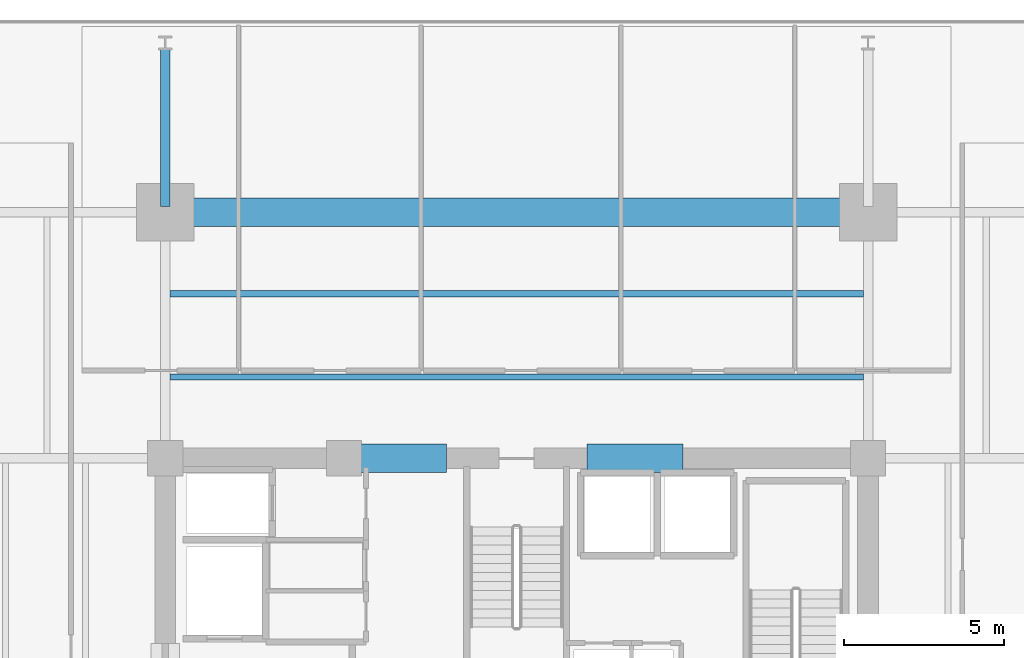
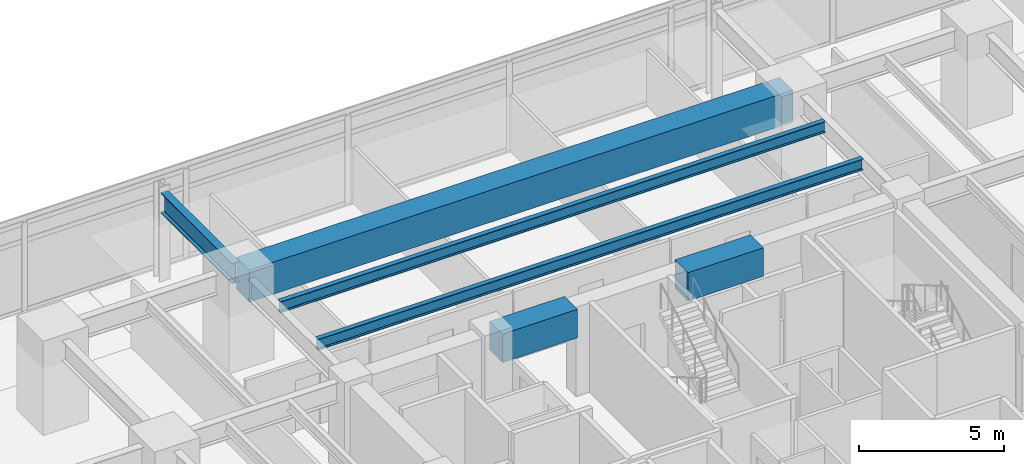
# One storey, part 7 of 21: 6 beams.
"""IFC4 building model written with IfcOpenShell, lengths in metres."""

from ifc_helpers import new_model, si_unit, direction, frame, origin, origin_2d, place, context, subcontext, project, spatial, rectangle, i_section, extrude, material, material_profile, profile_set, type_object, element, save


model = new_model("IFC4")

# Units and contexts
model_context = context("Model", 3, precision=1e-05, world=origin(), true_north=direction((0.0, 1.0)))
body_context = subcontext(model_context, "Body", "Model", "MODEL_VIEW")
ifc_project = project(units=[si_unit("LENGTHUNIT", "METRE"), si_unit("AREAUNIT", "SQUARE_METRE"), si_unit("VOLUMEUNIT", "CUBIC_METRE"), si_unit("PLANEANGLEUNIT", "RADIAN"), si_unit("MASSUNIT", "GRAM", prefix="KILO")], contexts=[model_context])

# Site, building, storey
site_placement = place(None, origin())
site = spatial("IfcSite", under=ifc_project, at=site_placement, CompositionType="ELEMENT")
building_placement = place(site_placement, origin())
building = spatial("IfcBuilding", under=site, at=building_placement, Name="Kovane Verandah Tower", CompositionType="ELEMENT")
storey_placement = place(building_placement, frame((0.0, 0.0, 87.60009765625)))
storey = spatial("IfcBuildingStorey", under=building, at=storey_placement, Name="L20", CompositionType="ELEMENT", Elevation=87.60009765625)

# Beams
ifc_material_1 = material(Name="Concrete C80/95", Category="concrete")
ifc_material_profile_1 = material_profile(ifc_material_1, rectangle(XDim=0.89990234375, YDim=1.199951171875, at=origin_2d()), Name="RCB900x1200")
ifc_profile_set_1 = profile_set([ifc_material_profile_1], Name="Concrete C80/95")
beam_type_1 = type_object("IfcBeamType", Name="BM-LINTEL-900x1200", PredefinedType="LINTEL", material=ifc_profile_set_1)
for number, where, z_axis, x_axis, name in (
    (1, (34.800048828125, 36.5, 3.159912109375), (1.0, 0.0, 0.0), (0.0, 1.0, 0.0), "L20 Core Coupling Lintel CL-N1"),
    (2, (42.199951171875, 36.5, 3.159912109375), (1.0, 0.0, 0.0), (0.0, 1.0, 0.0), "L20 Core Coupling Lintel CL-N2"),
):
    element("IfcBeam", number, at=place(storey_placement, frame(where, z_axis=z_axis, x_axis=x_axis)), inside=storey, type_object=beam_type_1, Name=name, PredefinedType="LINTEL", context=body_context, shape_type="SweptSolid", body=[
        extrude(rectangle(XDim=0.89990234375, YDim=1.199951171875, at=origin_2d()), origin(), (0.0, 0.0, 1.0), 3.0),
    ])
ifc_material_profile_2 = material_profile(ifc_material_1, rectangle(XDim=0.89990234375, YDim=1.35009765625, at=origin_2d()), Name="RCB900x1350")
ifc_profile_set_2 = profile_set([ifc_material_profile_2], Name="Concrete C80/95")
beam_type_2 = type_object("IfcBeamType", Name="BM-TR-900x1350", PredefinedType="BEAM", material=ifc_profile_set_2)
beam_1_placement = place(storey_placement, frame((29.179931640625, 44.199951171875, 3.0849609375), z_axis=(1.0, 0.0, 0.0), x_axis=(0.0, 1.0, 0.0)))
element("IfcBeam", 3, at=beam_1_placement, inside=storey, type_object=beam_type_2, Name="L20 Primary Tower Girder G-RN2", PredefinedType="BEAM", context=body_context, shape_type="SweptSolid", body=[
    extrude(rectangle(XDim=0.89990234375, YDim=1.35009765625, at=origin_2d()), origin(), (0.0, 0.0, 1.0), 21.64013671875),
])
ifc_material_2 = material(Name="Steel S355", Category="steel")
ifc_material_profile_3 = material_profile(ifc_material_2, i_section(OverallWidth=0.293701171875, OverallDepth=0.850830078125, WebThickness=0.01611328125, FlangeThickness=0.02685546875, FilletRadius=0.017822265625, at=origin_2d()), Name="UB838x292x226")
ifc_profile_set_3 = profile_set([ifc_material_profile_3], Name="Steel S355")
beam_type_3 = type_object("IfcBeamType", Name="BM-UB838x226", PredefinedType="BEAM", material=ifc_profile_set_3)
beam_2_placement = place(storey_placement, frame((29.0, 44.3798828125, 3.33447265625), z_axis=(0.0, 1.0, 0.0), x_axis=(-1.0, 0.0, 0.0)))
element("IfcBeam", 4, at=beam_2_placement, inside=storey, type_object=beam_type_3, Name="L20 Primary Tower Girder G-VN1", PredefinedType="BEAM", context=body_context, shape_type="SweptSolid", body=[
    extrude(i_section(OverallWidth=0.293701171875, OverallDepth=0.850830078125, WebThickness=0.01611328125, FlangeThickness=0.02685546875, FilletRadius=0.017822265625, at=origin_2d()), origin(), (0.0, 0.0, 1.0), 4.940185546875),
])
ifc_material_profile_4 = material_profile(ifc_material_2, i_section(OverallWidth=0.19287109375, OverallDepth=0.46728515625, WebThickness=0.011474609375, FlangeThickness=0.01953125, FilletRadius=0.01025390625, at=origin_2d()), Name="UB457x191x98")
ifc_profile_set_4 = profile_set([ifc_material_profile_4], Name="Steel S355")
beam_type_4 = type_object("IfcBeamType", Name="JST-UB457x98", PredefinedType="JOIST", material=ifc_profile_set_4)
for number, where, z_axis, x_axis, name in (
    (5, (29.14501953125, 39.050048828125, 3.5263671875), (1.0, 0.0, 0.0), (0.0, 1.0, 0.0), "L20 Secondary Composite Joist J-N1"),
    (6, (29.14501953125, 41.64990234375, 3.5263671875), (1.0, 0.0, 0.0), (0.0, 1.0, 0.0), "L20 Secondary Composite Joist J-N2"),
):
    element("IfcBeam", number, at=place(storey_placement, frame(where, z_axis=z_axis, x_axis=x_axis)), inside=storey, type_object=beam_type_4, Name=name, PredefinedType="JOIST", context=body_context, shape_type="SweptSolid", body=[
        extrude(i_section(OverallWidth=0.19287109375, OverallDepth=0.46728515625, WebThickness=0.011474609375, FlangeThickness=0.01953125, FilletRadius=0.01025390625, at=origin_2d()), origin(), (0.0, 0.0, 1.0), 21.7099609375),
    ])

save(model, "model.ifc")
